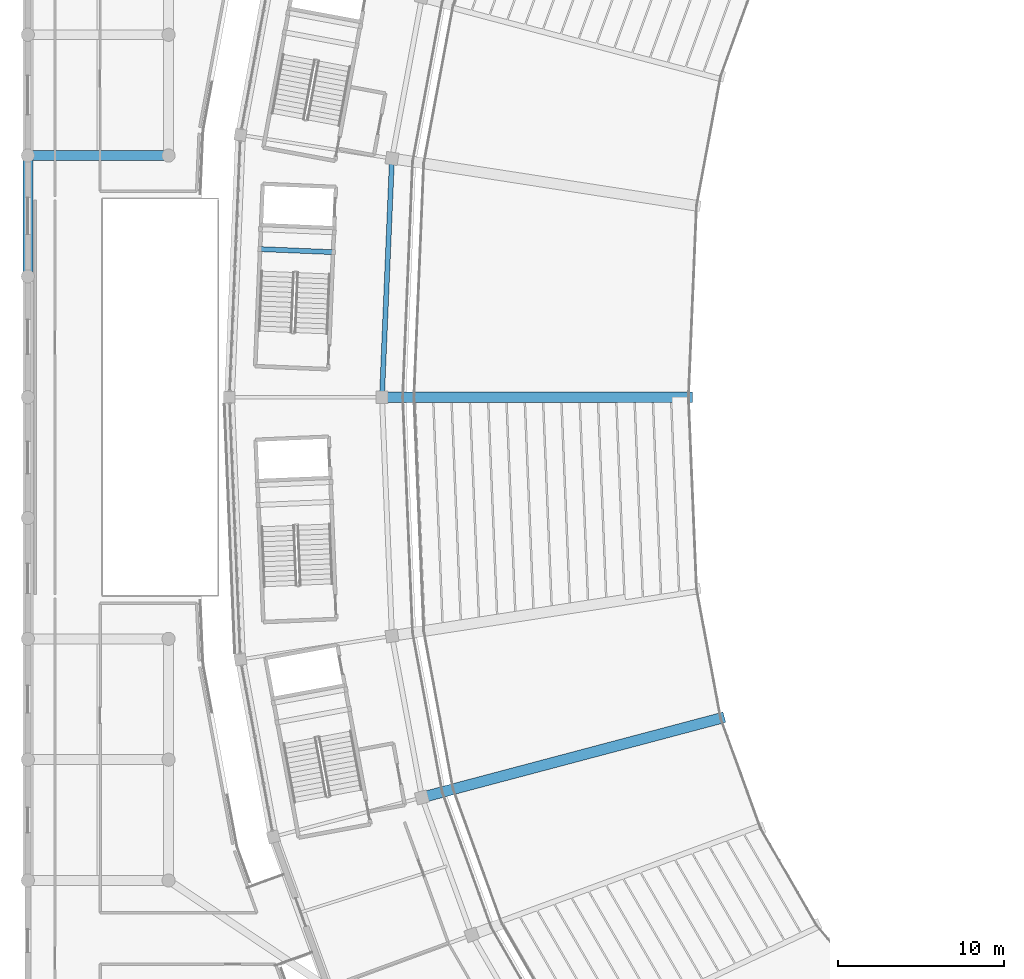
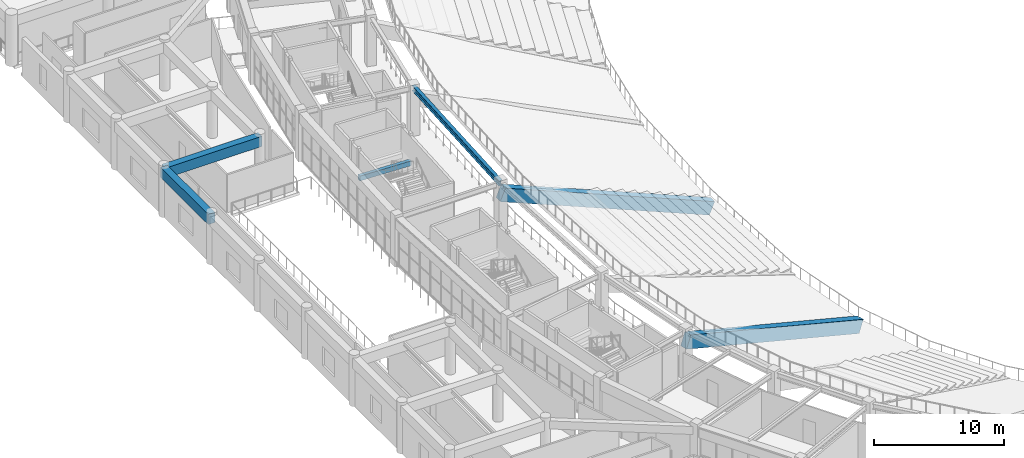
# One storey, part 27 of 137: 6 beams.
"""IFC4 building model written with IfcOpenShell, lengths in metres."""

from ifc_helpers import new_model, si_unit, direction, frame, origin, origin_2d, place, context, subcontext, project, spatial, rectangle, i_section, extrude, material, material_profile, profile_set, type_object, element, save


model = new_model("IFC4")

# Units and contexts
model_context = context("Model", 3, precision=1e-05, world=origin(), true_north=direction((0.0, 1.0)))
body_context = subcontext(model_context, "Body", "Model", "MODEL_VIEW")
ifc_project = project(units=[si_unit("LENGTHUNIT", "METRE"), si_unit("AREAUNIT", "SQUARE_METRE"), si_unit("VOLUMEUNIT", "CUBIC_METRE"), si_unit("PLANEANGLEUNIT", "RADIAN"), si_unit("MASSUNIT", "GRAM", prefix="KILO")], contexts=[model_context])

# Site, building, storey
site_placement = place(None, origin())
site = spatial("IfcSite", under=ifc_project, at=site_placement, CompositionType="ELEMENT")
building_placement = place(site_placement, origin())
building = spatial("IfcBuilding", under=site, at=building_placement, Name="Mphavela Belvedere Stadium", CompositionType="ELEMENT")
storey_placement = place(building_placement, frame((0.0, 0.0, 19.199951171875)))
storey = spatial("IfcBuildingStorey", under=building, at=storey_placement, Name="L04", CompositionType="ELEMENT", Elevation=19.199951171875)

# Beams
ifc_material_1 = material(Name="Concrete C40/50", Category="concrete")
ifc_material_profile_1 = material_profile(ifc_material_1, rectangle(XDim=0.60009765625, YDim=0.949951171875, at=origin_2d()), Name="RC 600x950")
ifc_profile_set_1 = profile_set([ifc_material_profile_1], Name="Concrete C40/50")
beam_type_1 = type_object("IfcBeamType", Name="BM-ENTABLATURE-950", PredefinedType="SPANDREL", material=ifc_profile_set_1)
beam_1_placement = place(storey_placement, frame((0.0, 94.300048828125, 4.06494140625), z_axis=(0.0, 1.0, 0.0), x_axis=(-1.0, 0.0, 0.0)))
element("IfcBeam", 1, at=beam_1_placement, inside=storey, type_object=beam_type_1, Name="West Planted Eaves Peristyle Colonnade entablature beam Y L04 1-7", PredefinedType="SPANDREL", context=body_context, shape_type="SweptSolid", body=[
    extrude(rectangle(XDim=0.60009765625, YDim=0.949951171875, at=origin_2d()), origin(), (0.0, 0.0, 1.0), 7.300048828125),
])
beam_2_placement = place(storey_placement, frame((0.0, 101.60009765625, 4.06494140625), z_axis=(1.0, 0.0, 0.0), x_axis=(0.0, 1.0, 0.0)))
element("IfcBeam", 2, at=beam_2_placement, inside=storey, type_object=beam_type_1, Name="West Planted Eaves Peristyle Colonnade entablature beam X L04 1-8", PredefinedType="SPANDREL", context=body_context, shape_type="SweptSolid", body=[
    extrude(rectangle(XDim=0.60009765625, YDim=0.949951171875, at=origin_2d()), origin(), (0.0, 0.0, 1.0), 8.5),
])
ifc_material_2 = material(Name="Precast concrete C45/55", Category="concrete")
ifc_material_profile_2 = material_profile(ifc_material_2, rectangle(XDim=0.64990234375, YDim=1.199951171875, at=origin_2d()), Name="PC 650x1200")
ifc_profile_set_2 = profile_set([ifc_material_profile_2], Name="Precast concrete C45/55")
beam_type_2 = type_object("IfcBeamType", Name="BM-RAKER-UPPER", PredefinedType="USERDEFINED", material=ifc_profile_set_2)
beam_3_placement = place(storey_placement, frame((39.922119140625, 87.0, -4.349853515625), z_axis=(-0.922539040497, 0.0, 0.385903768781), x_axis=(0.0, -1.0, 0.0)))
element("IfcBeam", 3, at=beam_3_placement, inside=storey, type_object=beam_type_2, Name="Upper tier precast cantilever raker beam RK-U-25", ObjectType="RAKER BEAM", PredefinedType="USERDEFINED", context=body_context, shape_type="SweptSolid", body=[
    extrude(rectangle(XDim=0.64990234375, YDim=1.199951171875, at=origin_2d()), origin(), (0.0, 0.0, 1.0), 20.082763671875),
])
beam_4_placement = place(storey_placement, frame((41.86083984375, 67.6044921875, -4.349853515625), z_axis=(-0.892744637737, -0.236753762179, 0.383346668024), x_axis=(0.256336726267, -0.96658754532, 0.0)))
element("IfcBeam", 4, at=beam_4_placement, inside=storey, type_object=beam_type_2, Name="Upper tier precast cantilever raker beam RK-U-27", ObjectType="RAKER BEAM", PredefinedType="USERDEFINED", context=body_context, shape_type="SweptSolid", body=[
    extrude(rectangle(XDim=0.64990234375, YDim=1.199951171875, at=origin_2d()), origin(), (0.0, 0.0, 1.0), 20.216796875),
])
ifc_material_3 = material(Name="Concrete C40/50", Category="concrete")
ifc_material_profile_3 = material_profile(ifc_material_3, rectangle(XDim=0.300048828125, YDim=0.449951171875, at=origin_2d()), Name="RC 300x450")
ifc_profile_set_3 = profile_set([ifc_material_profile_3], Name="Concrete C40/50")
beam_type_3 = type_object("IfcBeamType", Name="BM-RC300x450", PredefinedType="BEAM", material=ifc_profile_set_3)
beam_5_placement = place(storey_placement, frame((18.47021484375, 95.76318359375, 1.97509765625), z_axis=(-0.999122153252, 0.04189179968, 0.0), x_axis=(-0.04189179968, -0.999122153252, 0.0)))
element("IfcBeam", 5, at=beam_5_placement, inside=storey, type_object=beam_type_3, Name="Core C07 landing trimmer beam L04-1", PredefinedType="BEAM", context=body_context, shape_type="SweptSolid", body=[
    extrude(rectangle(XDim=0.300048828125, YDim=0.449951171875, at=origin_2d()), origin(), (0.0, 0.0, 1.0), 4.469970703125),
])
ifc_material_4 = material(Name="Steel S355", Category="steel")
ifc_material_profile_4 = material_profile(ifc_material_4, i_section(OverallWidth=0.300048828125, OverallDepth=0.489990234375, WebThickness=0.011962890625, FlangeThickness=0.02294921875, at=origin_2d()), Name="HEA 500")
ifc_profile_set_4 = profile_set([ifc_material_profile_4], Name="Steel S355")
beam_type_4 = type_object("IfcBeamType", Name="BM-STEEL-HEA500", PredefinedType="BEAM", material=ifc_profile_set_4)
beam_6_placement = place(storey_placement, frame((22.0, 101.4248046875, 4.304931640625), z_axis=(-0.041903450766, -0.99912166467, 0.0), x_axis=(0.99912166467, -0.041903450766, 0.0)))
element("IfcBeam", 6, at=beam_6_placement, inside=storey, type_object=beam_type_4, Name="Circumferential girder L04 R3-24", PredefinedType="BEAM", context=body_context, shape_type="SweptSolid", body=[
    extrude(i_section(OverallWidth=0.300048828125, OverallDepth=0.489990234375, WebThickness=0.011962890625, FlangeThickness=0.02294921875, at=origin_2d()), origin(), (0.0, 0.0, 1.0), 14.4375),
])

save(model, "model.ifc")
